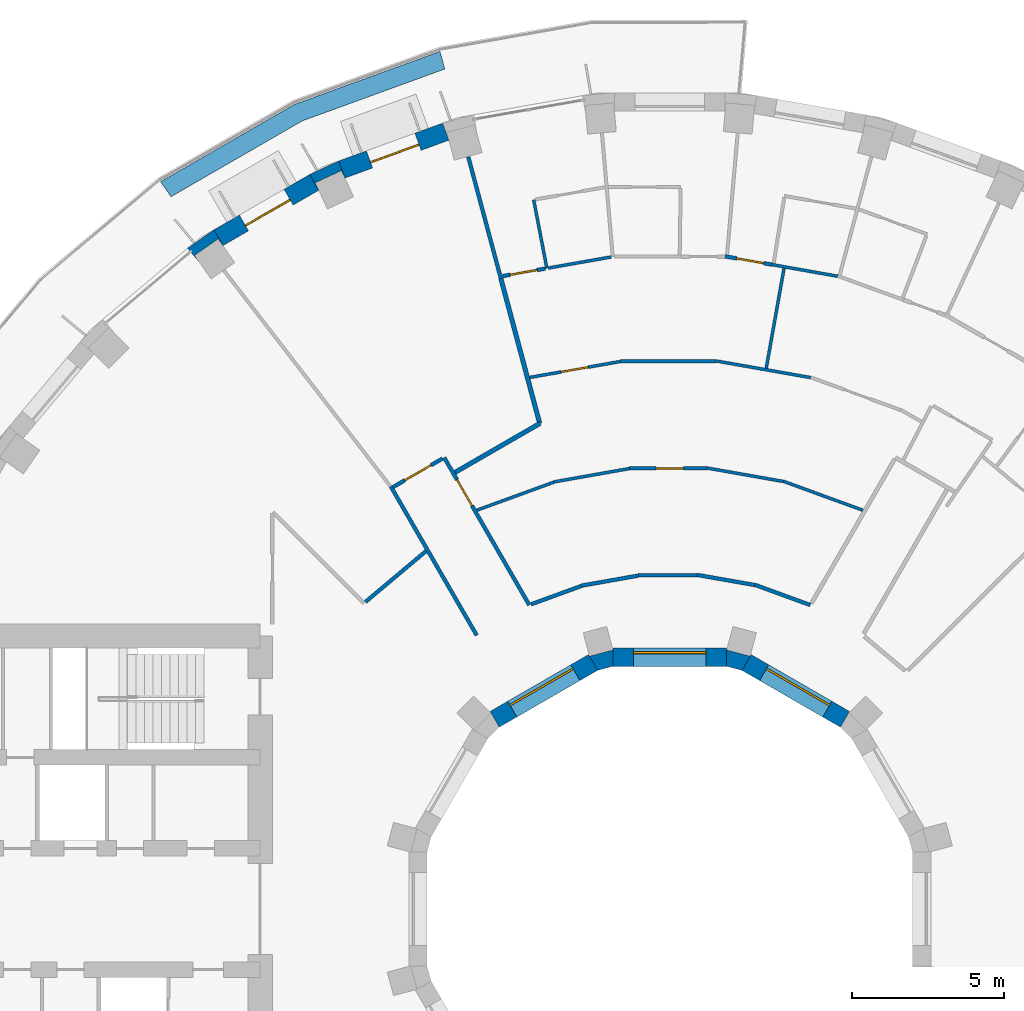
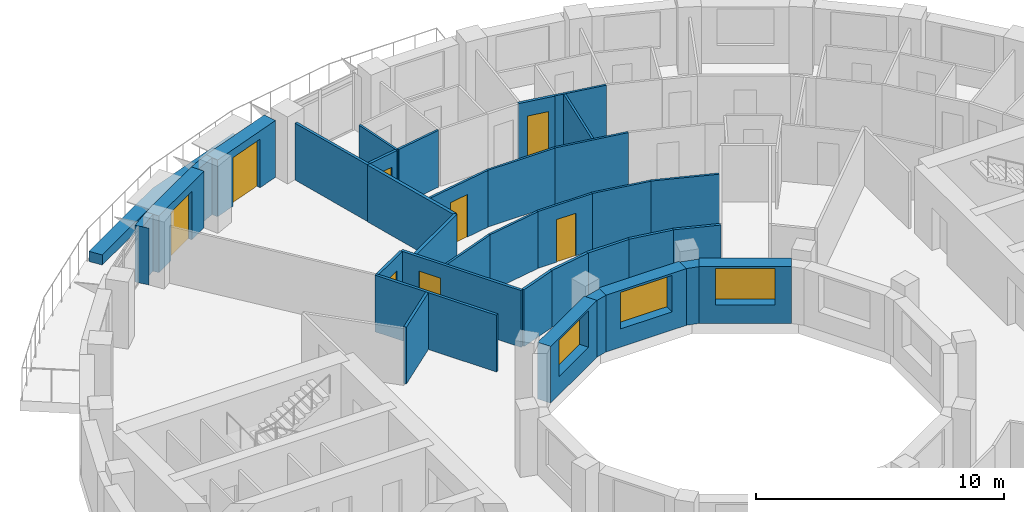
# One storey, part 10 of 14: 36 walls, 8 doors, 3 windows, 11 openings.
"""IFC4 building model written with IfcOpenShell, lengths in metres."""

from ifc_helpers import new_model, si_unit, direction, frame, frame_2d, origin, place, context, subcontext, project, spatial, polyline, rectangle, outline, extrude, material, layer, layer_set, type_object, element, fill, save


model = new_model("IFC4")

# Units and contexts
model_context = context("Model", 3, precision=1e-05, world=origin(), true_north=direction((0.0, 1.0)))
body_context = subcontext(model_context, "Body", "Model", "MODEL_VIEW")
ifc_project = project(units=[si_unit("LENGTHUNIT", "METRE"), si_unit("AREAUNIT", "SQUARE_METRE"), si_unit("VOLUMEUNIT", "CUBIC_METRE"), si_unit("PLANEANGLEUNIT", "RADIAN"), si_unit("MASSUNIT", "GRAM", prefix="KILO")], contexts=[model_context])

# Site, building, storey
site_placement = place(None, origin())
site = spatial("IfcSite", under=ifc_project, at=site_placement, CompositionType="ELEMENT")
building_placement = place(site_placement, origin())
building = spatial("IfcBuilding", under=site, at=building_placement, Name="Saqina Gate Tower", CompositionType="ELEMENT")
storey_placement = place(building_placement, frame((0.0, 0.0, 91.89990234375)))
storey = spatial("IfcBuildingStorey", under=building, at=storey_placement, Name="L25", CompositionType="ELEMENT", Elevation=91.89990234375)

# Walls
ifc_material_1 = material(Name="Brick masonry (buff)", Category="masonry")
wall_type_1 = type_object("IfcWallType", Name="BRICK PIER COPING BUFF", PredefinedType="SOLIDWALL", material=ifc_material_1)
wall_1_placement = place(storey_placement, origin())
element("IfcWall", 1, at=wall_1_placement, inside=storey, type_object=wall_type_1, Name="Pier cap L25 column 12", PredefinedType="SOLIDWALL", context=body_context, shape_type="SweptSolid", body=[
    extrude(outline(polyline([(-10.913330078125, 24.6513671875), (-11.869140625, 24.205810546875), (-11.569091796875, 23.68603515625), (-11.6826171875, 23.9296875), (-10.82177734375, 24.331298828125), (-10.7080078125, 24.08740234375), (-10.913330078125, 24.6513671875)])), origin(), (0.0, 0.0, 1.0), 2.800048828125),
])
wall_2_placement = place(storey_placement, origin())
element("IfcWall", 2, at=wall_2_placement, inside=storey, type_object=wall_type_1, Name="Pier cap L25 column 13", PredefinedType="SOLIDWALL", context=body_context, shape_type="SweptSolid", body=[
    extrude(outline(polyline([(-15.89208984375, 21.77685546875), (-15.50634765625, 21.317138671875), (-15.66064453125, 21.53759765625), (-14.88232421875, 22.08251953125), (-14.728271484375, 21.862060546875), (-15.0283203125, 22.3818359375), (-15.89208984375, 21.77685546875)])), origin(), (0.0, 0.0, 1.0), 2.800048828125),
])

# Wall, opening, door
ifc_material_2 = material(Name="Brick masonry (buff)", Category="masonry")
ifc_layer_1 = layer(ifc_material_2, 0.60009765625)
ifc_layer_set_1 = layer_set([ifc_layer_1], Name="FW-BRICK-BUFF")
wall_type_2 = type_object("IfcWallType", Name="FW-BRICK-BUFF", PredefinedType="SOLIDWALL", material=ifc_layer_set_1)
wall_3_placement = place(storey_placement, frame((-7.3828125, 25.616943359375, 0.0), z_axis=(0.0, 0.0, 1.0), x_axis=(-0.939703505393, -0.341990236633, 0.0)))
wall_3 = element("IfcWall", 3, at=wall_3_placement, inside=storey, type_object=wall_type_2, Name="Facade wall L25 facet 11", PredefinedType="SOLIDWALL", context=body_context, shape_type="SweptSolid", body=[
    extrude(rectangle(XDim=3.64794921875, YDim=0.60009765625, at=frame_2d((1.823974609375, 0.0))), origin(), (0.0, 0.0, 1.0), 2.800048828125),
])
opening_1_placement = place(wall_3_placement, frame((0.973876953125, 0.0, 0.0)))
opening_1 = element("IfcOpeningElement", 4, at=opening_1_placement, cuts=wall_3, Name="Opening G07-D80", PredefinedType="OPENING", context=body_context, shape_type="SweptSolid", body=[
    extrude(rectangle(XDim=1.699951171875, YDim=2.39990234375, at=frame_2d((0.85009765625, 1.199951171875))), frame((0.0, 0.31201171875, 0.0), z_axis=(0.0, -1.0, 0.0), x_axis=(1.0, 0.0, 0.0)), (0.0, 0.0, 1.0), 0.6240234375),
])
ifc_material_3 = material(Name="Aluminium glazing", Category="aluminium")
door_type_1 = type_object("IfcDoorType", Name="GD-B", OperationType="DOUBLE_DOOR_SINGLE_SWING", PredefinedType="DOOR", material=ifc_material_3)
door_1_placement = place(opening_1_placement, origin())
door_1 = element("IfcDoor", 5, at=door_1_placement, inside=storey, type_object=door_type_1, Name="Terrace door L25 facet 11", OperationType="DOUBLE_DOOR_SINGLE_SWING", OverallHeight=2.39990234375, OverallWidth=1.699951171875, PredefinedType="DOOR", context=body_context, shape_type="SweptSolid", body=[
    extrude(rectangle(XDim=1.699951171875, YDim=2.39990234375, at=frame_2d((0.85009765625, 1.199951171875))), frame((0.0, 0.125, 0.0), z_axis=(0.0, -1.0, 0.0), x_axis=(1.0, 0.0, 0.0)), (0.0, 0.0, 1.0), 0.050048828125),
])
fill(opening_1, door_1)

wall_4_placement = place(storey_placement, frame((-11.718994140625, 23.94580078125, 0.0), z_axis=(0.0, 0.0, 1.0), x_axis=(-0.866051847062, -0.499954196102, 0.0)))
wall_4 = element("IfcWall", 6, at=wall_4_placement, inside=storey, type_object=wall_type_2, Name="Facade wall L25 facet 12", PredefinedType="SOLIDWALL", context=body_context, shape_type="SweptSolid", body=[
    extrude(rectangle(XDim=3.647705078125, YDim=0.60009765625, at=frame_2d((1.82373046875, 0.0))), origin(), (0.0, 0.0, 1.0), 2.800048828125),
])
opening_2_placement = place(wall_4_placement, frame((0.973876953125, 0.0, 0.0)))
opening_2 = element("IfcOpeningElement", 7, at=opening_2_placement, cuts=wall_4, Name="Opening G07-D81", PredefinedType="OPENING", context=body_context, shape_type="SweptSolid", body=[
    extrude(rectangle(XDim=1.699951171875, YDim=2.39990234375, at=frame_2d((0.85009765625, 1.199951171875))), frame((0.0, 0.31201171875, 0.0), z_axis=(0.0, -1.0, 0.0), x_axis=(1.0, 0.0, 0.0)), (0.0, 0.0, 1.0), 0.6240234375),
])
door_2_placement = place(opening_2_placement, origin())
door_2 = element("IfcDoor", 8, at=door_2_placement, inside=storey, type_object=door_type_1, Name="Terrace door L25 facet 12", OperationType="DOUBLE_DOOR_SINGLE_SWING", OverallHeight=2.39990234375, OverallWidth=1.699951171875, PredefinedType="DOOR", context=body_context, shape_type="SweptSolid", body=[
    extrude(rectangle(XDim=1.699951171875, YDim=2.39990234375, at=frame_2d((0.85009765625, 1.199951171875))), frame((0.0, 0.125, 0.0), z_axis=(0.0, -1.0, 0.0), x_axis=(1.0, 0.0, 0.0)), (0.0, 0.0, 1.0), 0.050048828125),
])
fill(opening_2, door_2)

# Wall, opening, window
ifc_material_4 = material(Name="Glazed ceramic tile", Category="ceramic")
ifc_layer_2 = layer(ifc_material_4, 0.60009765625)
ifc_layer_set_2 = layer_set([ifc_layer_2], Name="IW-TILE")
wall_type_3 = type_object("IfcWallType", Name="IW-TILE", PredefinedType="SOLIDWALL", material=ifc_layer_set_2)
wall_5_placement = place(storey_placement, frame((5.772705078125, 6.251220703125, 0.0), z_axis=(0.0, 0.0, 1.0), x_axis=(-0.86604563398, 0.499964958637, 0.0)))
wall_5 = element("IfcWall", 9, at=wall_5_placement, inside=storey, type_object=wall_type_3, Name="Well wall L25 facet 2", PredefinedType="SOLIDWALL", context=body_context, shape_type="SweptSolid", body=[
    extrude(rectangle(XDim=3.747314453125, YDim=0.60009765625, at=frame_2d((1.87353515625, 0.0))), origin(), (0.0, 0.0, 1.0), 2.800048828125),
])
opening_3_placement = place(wall_5_placement, frame((0.673583984375, 0.0, 0.89990234375)))
opening_3 = element("IfcOpeningElement", 10, at=opening_3_placement, cuts=wall_5, Name="Opening G07-W24", PredefinedType="OPENING", context=body_context, shape_type="SweptSolid", body=[
    extrude(rectangle(XDim=2.39990234375, YDim=1.800048828125, at=frame_2d((1.199951171875, 0.89990234375))), frame((0.0, 0.31201171875, 0.0), z_axis=(0.0, -1.0, 0.0), x_axis=(1.0, 0.0, 0.0)), (0.0, 0.0, 1.0), 0.6240234375),
])
ifc_material_5 = material(Name="Aluminium glazing", Category="aluminium")
window_type = type_object("IfcWindowType", Name="WN-W", PartitioningType="SINGLE_PANEL", PredefinedType="WINDOW", material=ifc_material_5)
window_1_placement = place(opening_3_placement, origin())
window_1 = element("IfcWindow", 11, at=window_1_placement, inside=storey, type_object=window_type, Name="Well window L25 facet 2", OverallHeight=1.800048828125, OverallWidth=2.39990234375, PartitioningType="SINGLE_PANEL", PredefinedType="WINDOW", context=body_context, shape_type="SweptSolid", body=[
    extrude(rectangle(XDim=2.39990234375, YDim=1.800048828125, at=frame_2d((1.199951171875, 0.89990234375))), frame((0.0, -0.119873046875, 0.0), z_axis=(0.0, -1.0, 0.0), x_axis=(1.0, 0.0, 0.0)), (0.0, 0.0, 1.0), 0.06005859375),
])
fill(opening_3, window_1)

wall_6_placement = place(storey_placement, frame((1.873779296875, 8.300048828125, 0.0), z_axis=(0.0, 0.0, 1.0), x_axis=(-1.0, 0.0, 0.0)))
wall_6 = element("IfcWall", 12, at=wall_6_placement, inside=storey, type_object=wall_type_3, Name="Well wall L25 facet 3", PredefinedType="SOLIDWALL", context=body_context, shape_type="SweptSolid", body=[
    extrude(rectangle(XDim=3.74755859375, YDim=0.60009765625, at=frame_2d((1.873779296875, 0.0))), origin(), (0.0, 0.0, 1.0), 2.800048828125),
])
opening_4_placement = place(wall_6_placement, frame((0.673583984375, 0.0, 0.89990234375)))
opening_4 = element("IfcOpeningElement", 13, at=opening_4_placement, cuts=wall_6, Name="Opening G07-W25", PredefinedType="OPENING", context=body_context, shape_type="SweptSolid", body=[
    extrude(rectangle(XDim=2.39990234375, YDim=1.800048828125, at=frame_2d((1.199951171875, 0.89990234375))), frame((0.0, 0.31201171875, 0.0), z_axis=(0.0, -1.0, 0.0), x_axis=(1.0, 0.0, 0.0)), (0.0, 0.0, 1.0), 0.6240234375),
])
window_2_placement = place(opening_4_placement, origin())
window_2 = element("IfcWindow", 14, at=window_2_placement, inside=storey, type_object=window_type, Name="Well window L25 facet 3", OverallHeight=1.800048828125, OverallWidth=2.39990234375, PartitioningType="SINGLE_PANEL", PredefinedType="WINDOW", context=body_context, shape_type="SweptSolid", body=[
    extrude(rectangle(XDim=2.39990234375, YDim=1.800048828125, at=frame_2d((1.199951171875, 0.89990234375))), frame((0.0, -0.119873046875, 0.0), z_axis=(0.0, -1.0, 0.0), x_axis=(1.0, 0.0, 0.0)), (0.0, 0.0, 1.0), 0.06005859375),
])
fill(opening_4, window_2)

wall_7_placement = place(storey_placement, frame((-2.52734375, 8.124755859375, 0.0), z_axis=(0.0, 0.0, 1.0), x_axis=(-0.86604563398, -0.499964958637, 0.0)))
wall_7 = element("IfcWall", 15, at=wall_7_placement, inside=storey, type_object=wall_type_3, Name="Well wall L25 facet 4", PredefinedType="SOLIDWALL", context=body_context, shape_type="SweptSolid", body=[
    extrude(rectangle(XDim=3.747314453125, YDim=0.60009765625, at=frame_2d((1.87353515625, 0.0))), origin(), (0.0, 0.0, 1.0), 2.800048828125),
])
opening_5_placement = place(wall_7_placement, frame((0.673583984375, 0.0, 0.89990234375)))
opening_5 = element("IfcOpeningElement", 16, at=opening_5_placement, cuts=wall_7, Name="Opening G07-W26", PredefinedType="OPENING", context=body_context, shape_type="SweptSolid", body=[
    extrude(rectangle(XDim=2.39990234375, YDim=1.800048828125, at=frame_2d((1.199951171875, 0.89990234375))), frame((0.0, 0.31201171875, 0.0), z_axis=(0.0, -1.0, 0.0), x_axis=(1.0, 0.0, 0.0)), (0.0, 0.0, 1.0), 0.6240234375),
])
window_3_placement = place(opening_5_placement, origin())
window_3 = element("IfcWindow", 17, at=window_3_placement, inside=storey, type_object=window_type, Name="Well window L25 facet 4", OverallHeight=1.800048828125, OverallWidth=2.39990234375, PartitioningType="SINGLE_PANEL", PredefinedType="WINDOW", context=body_context, shape_type="SweptSolid", body=[
    extrude(rectangle(XDim=2.39990234375, YDim=1.800048828125, at=frame_2d((1.199951171875, 0.89990234375))), frame((0.0, -0.119873046875, 0.0), z_axis=(0.0, -1.0, 0.0), x_axis=(1.0, 0.0, 0.0)), (0.0, 0.0, 1.0), 0.06005859375),
])
fill(opening_5, window_3)

# Walls
ifc_material_6 = material(Name="Gypsum board on steel studs, 100 mm", Category="steel")
ifc_layer_3 = layer(ifc_material_6, 0.10009765625)
ifc_layer_set_3 = layer_set([ifc_layer_3], Name="PARTITION 100")
wall_type_4 = type_object("IfcWallType", Name="PARTITION 100", PredefinedType="PARTITIONING", material=ifc_layer_set_3)
wall_8_placement = place(storey_placement, frame((-4.486083984375, 23.373046875, 0.0), z_axis=(0.0, 0.0, 1.0), x_axis=(0.188701744684, -0.982034445197, 0.0)))
element("IfcWall", 18, at=wall_8_placement, inside=storey, type_object=wall_type_4, Name="PARTITION PW3-04", PredefinedType="PARTITIONING", context=body_context, shape_type="SweptSolid", body=[
    extrude(rectangle(XDim=2.30029296875, YDim=0.10009765625, at=frame_2d((1.150146484375, 0.0))), origin(), (0.0, 0.0, 1.0), 2.800048828125),
])
wall_9_placement = place(storey_placement, frame((3.726318359375, 14.101318359375, 0.0), z_axis=(0.0, 0.0, 1.0), x_axis=(0.939597715072, -0.342280782152, 0.0)))
element("IfcWall", 19, at=wall_9_placement, inside=storey, type_object=wall_type_4, Name="PARTITION PW3-39", PredefinedType="PARTITIONING", context=body_context, shape_type="SweptSolid", body=[
    extrude(rectangle(XDim=2.806640625, YDim=0.10009765625, at=frame_2d((1.4033203125, 0.0))), origin(), (0.0, 0.0, 1.0), 2.800048828125),
])
wall_10_placement = place(storey_placement, frame((3.364990234375, 21.236328125, 0.0), z_axis=(0.0, 0.0, 1.0), x_axis=(0.98465059855, -0.174537098562, 0.0)))
element("IfcWall", 20, at=wall_10_placement, inside=storey, type_object=wall_type_4, Name="PARTITION PW3-43", PredefinedType="PARTITIONING", context=body_context, shape_type="SweptSolid", body=[
    extrude(rectangle(XDim=2.20458984375, YDim=0.10009765625, at=frame_2d((1.102294921875, 0.0))), origin(), (0.0, 0.0, 1.0), 2.800048828125),
])
wall_11_placement = place(storey_placement, frame((1.220947265625, 14.53369140625, 0.0), z_axis=(0.0, 0.0, 1.0), x_axis=(0.98484729526, -0.173423772937, 0.0)))
element("IfcWall", 21, at=wall_11_placement, inside=storey, type_object=wall_type_4, Name="PARTITION PW3-47", PredefinedType="PARTITIONING", context=body_context, shape_type="SweptSolid", body=[
    extrude(rectangle(XDim=2.54248046875, YDim=0.10009765625, at=frame_2d((1.271240234375, 0.0))), origin(), (0.0, 0.0, 1.0), 2.800048828125),
])
wall_12_placement = place(storey_placement, frame((1.529052734375, 18.060791015625, 0.0), z_axis=(0.0, 0.0, 1.0), x_axis=(0.984824759837, -0.173551699537, 0.0)))
element("IfcWall", 22, at=wall_12_placement, inside=storey, type_object=wall_type_4, Name="PARTITION PW3-48", PredefinedType="PARTITIONING", context=body_context, shape_type="SweptSolid", body=[
    extrude(rectangle(XDim=3.159423828125, YDim=0.10009765625, at=frame_2d((1.57958984375, 0.0))), origin(), (0.0, 0.0, 1.0), 2.800048828125),
])

# Wall, opening, door
wall_13_placement = place(storey_placement, frame((-1.32177734375, 14.52490234375, 0.0), z_axis=(0.0, 0.0, 1.0), x_axis=(1.0, 0.0, 0.0)))
wall_13 = element("IfcWall", 23, at=wall_13_placement, inside=storey, type_object=wall_type_4, Name="PARTITION PW3-54", PredefinedType="PARTITIONING", context=body_context, shape_type="SweptSolid", body=[
    extrude(rectangle(XDim=2.542724609375, YDim=0.10009765625, at=frame_2d((1.271484375, 0.0))), origin(), (0.0, 0.0, 1.0), 2.800048828125),
])
opening_6_placement = place(wall_13_placement, frame((0.871826171875, 0.0, 0.0)))
opening_6 = element("IfcOpeningElement", 24, at=opening_6_placement, cuts=wall_13, Name="Opening G07-D16", PredefinedType="OPENING", context=body_context, shape_type="SweptSolid", body=[
    extrude(rectangle(XDim=0.89990234375, YDim=2.10009765625, at=frame_2d((0.449951171875, 1.050048828125))), frame((0.0, 0.06201171875, 0.0), z_axis=(0.0, -1.0, 0.0), x_axis=(1.0, 0.0, 0.0)), (0.0, 0.0, 1.0), 0.1240234375),
])
ifc_material_7 = material(Name="Timber door leaf, 900 mm", Category="wood")
door_type_2 = type_object("IfcDoorType", Name="DOOR 900 TIMBER", OperationType="SINGLE_SWING_LEFT", PredefinedType="DOOR", material=ifc_material_7)
door_3_placement = place(opening_6_placement, origin())
door_3 = element("IfcDoor", 25, at=door_3_placement, inside=storey, type_object=door_type_2, Name="DOOR G07-D16", OperationType="SINGLE_SWING_RIGHT", OverallHeight=2.10009765625, OverallWidth=0.89990234375, PredefinedType="DOOR", context=body_context, shape_type="SweptSolid", body=[
    extrude(rectangle(XDim=0.89990234375, YDim=2.10009765625, at=frame_2d((0.449951171875, 1.050048828125))), frame((0.0, 0.02490234375, 0.0), z_axis=(0.0, -1.0, 0.0), x_axis=(1.0, 0.0, 0.0)), (0.0, 0.0, 1.0), 0.050048828125),
])
fill(opening_6, door_3)

# Walls
wall_14_placement = place(storey_placement, frame((-1.6298828125, 18.052001953125, 0.0), z_axis=(0.0, 0.0, 1.0), x_axis=(1.0, 0.0, 0.0)))
element("IfcWall", 26, at=wall_14_placement, inside=storey, type_object=wall_type_4, Name="PARTITION PW3-55", PredefinedType="PARTITIONING", context=body_context, shape_type="SweptSolid", body=[
    extrude(rectangle(XDim=3.158935546875, YDim=0.10009765625, at=frame_2d((1.57958984375, 0.0))), origin(), (0.0, 0.0, 1.0), 2.800048828125),
])
wall_15_placement = place(storey_placement, frame((-3.823974609375, 14.0751953125, 0.0), z_axis=(0.0, 0.0, 1.0), x_axis=(0.984827998664, 0.173533319706, 0.0)))
element("IfcWall", 27, at=wall_15_placement, inside=storey, type_object=wall_type_4, Name="PARTITION PW3-61", PredefinedType="PARTITIONING", context=body_context, shape_type="SweptSolid", body=[
    extrude(rectangle(XDim=2.542236328125, YDim=0.10009765625, at=frame_2d((1.27099609375, 0.0))), origin(), (0.0, 0.0, 1.0), 2.800048828125),
])

# Wall, opening, door
wall_16_placement = place(storey_placement, frame((-4.6162109375, 17.51708984375, 0.0), z_axis=(0.0, 0.0, 1.0), x_axis=(0.984849913621, 0.173408903003, 0.0)))
wall_16 = element("IfcWall", 28, at=wall_16_placement, inside=storey, type_object=wall_type_4, Name="PARTITION PW3-62", PredefinedType="PARTITIONING", context=body_context, shape_type="SweptSolid", body=[
    extrude(rectangle(XDim=3.033935546875, YDim=0.10009765625, at=frame_2d((1.51708984375, 0.0))), origin(), (0.0, 0.0, 1.0), 2.800048828125),
])
opening_7_placement = place(wall_16_placement, frame((1.054443359375, 0.0, 0.0)))
opening_7 = element("IfcOpeningElement", 29, at=opening_7_placement, cuts=wall_16, Name="Opening G07-D19", PredefinedType="OPENING", context=body_context, shape_type="SweptSolid", body=[
    extrude(rectangle(XDim=0.89990234375, YDim=2.10009765625, at=frame_2d((0.449951171875, 1.050048828125))), frame((0.0, 0.06201171875, 0.0), z_axis=(0.0, -1.0, 0.0), x_axis=(1.0, 0.0, 0.0)), (0.0, 0.0, 1.0), 0.1240234375),
])
door_4_placement = place(opening_7_placement, frame((0.89990234375, 0.0, 0.0), z_axis=(0.0, 0.0, 1.0), x_axis=(-1.0, 0.0, 0.0)))
door_4 = element("IfcDoor", 30, at=door_4_placement, inside=storey, type_object=door_type_2, Name="DOOR G07-D19", OperationType="SINGLE_SWING_RIGHT", OverallHeight=2.10009765625, OverallWidth=0.89990234375, PredefinedType="DOOR", context=body_context, shape_type="SweptSolid", body=[
    extrude(rectangle(XDim=0.89990234375, YDim=2.10009765625, at=frame_2d((0.449951171875, 1.050048828125))), frame((0.0, 0.02490234375, 0.0), z_axis=(0.0, -1.0, 0.0), x_axis=(1.0, 0.0, 0.0)), (0.0, 0.0, 1.0), 0.050048828125),
])
fill(opening_7, door_4)

# Walls
wall_17_placement = place(storey_placement, frame((-4.002685546875, 21.122802734375, 0.0), z_axis=(0.0, 0.0, 1.0), x_axis=(0.984804573467, 0.173666208797, 0.0)))
element("IfcWall", 31, at=wall_17_placement, inside=storey, type_object=wall_type_4, Name="PARTITION PW3-63", PredefinedType="PARTITIONING", context=body_context, shape_type="SweptSolid", body=[
    extrude(rectangle(XDim=2.1044921875, YDim=0.10009765625, at=frame_2d((1.05224609375, 0.0))), origin(), (0.0, 0.0, 1.0), 2.800048828125),
])
wall_18_placement = place(storey_placement, frame((-6.361083984375, 13.141357421875, 0.0), z_axis=(0.0, 0.0, 1.0), x_axis=(0.939569098227, 0.342359328275, 0.0)))
element("IfcWall", 32, at=wall_18_placement, inside=storey, type_object=wall_type_4, Name="PARTITION PW3-68", PredefinedType="PARTITIONING", context=body_context, shape_type="SweptSolid", body=[
    extrude(rectangle(XDim=2.703369140625, YDim=0.10009765625, at=frame_2d((1.3515625, 0.0))), origin(), (0.0, 0.0, 1.0), 2.800048828125),
])
wall_19_placement = place(storey_placement, frame((3.177734375, 17.8212890625, 0.0), z_axis=(0.0, 0.0, 1.0), x_axis=(0.175313184309, 0.984512715716, 0.0)))
element("IfcWall", 33, at=wall_19_placement, inside=storey, type_object=wall_type_4, Name="PARTITION PW3-99", PredefinedType="PARTITIONING", context=body_context, shape_type="SweptSolid", body=[
    extrude(rectangle(XDim=3.344970703125, YDim=0.10009765625, at=frame_2d((1.67236328125, 0.0))), origin(), (0.0, 0.0, 1.0), 2.800048828125),
])
ifc_material_8 = material(Name="Gypsum board on steel studs, 125 mm, fire rated", Category="steel")
ifc_layer_4 = layer(ifc_material_8, 0.125)
ifc_layer_set_4 = layer_set([ifc_layer_4], Name="PARTITION EI 30 125")
wall_type_5 = type_object("IfcWallType", Name="PARTITION EI 30 125", PredefinedType="PARTITIONING", material=ifc_layer_set_4)
wall_20_placement = place(storey_placement, frame((-6.642333984375, 24.79052734375, 0.0), z_axis=(0.0, 0.0, 1.0), x_axis=(0.258787077678, -0.965934391368, 0.0)))
element("IfcWall", 34, at=wall_20_placement, inside=storey, type_object=wall_type_5, Name="PARTITION PW1-01", PredefinedType="PARTITIONING", context=body_context, shape_type="SweptSolid", body=[
    extrude(rectangle(XDim=4.148193359375, YDim=0.125, at=frame_2d((2.07421875, 0.0))), origin(), (0.0, 0.0, 1.0), 2.800048828125),
])
wall_21_placement = place(storey_placement, frame((-9.197265625, 13.930419921875, 0.0), z_axis=(0.0, 0.0, 1.0), x_axis=(0.499811918813, -0.86613396528, 0.0)))
element("IfcWall", 35, at=wall_21_placement, inside=storey, type_object=wall_type_5, Name="PARTITION PW1-03", PredefinedType="PARTITIONING", context=body_context, shape_type="SweptSolid", body=[
    extrude(rectangle(XDim=5.669677734375, YDim=0.125, at=frame_2d((2.8349609375, 0.0))), origin(), (0.0, 0.0, 1.0), 2.800048828125),
])

# Wall, opening, door
wall_22_placement = place(storey_placement, frame((-7.43408203125, 14.8759765625, 0.0), z_axis=(0.0, 0.0, 1.0), x_axis=(0.499750096908, -0.866169637335, 0.0)))
wall_22 = element("IfcWall", 36, at=wall_22_placement, inside=storey, type_object=wall_type_5, Name="PARTITION PW1-04", PredefinedType="PARTITIONING", context=body_context, shape_type="SweptSolid", body=[
    extrude(rectangle(XDim=5.606689453125, YDim=0.125, at=frame_2d((2.80322265625, 0.0))), origin(), (0.0, 0.0, 1.0), 2.800048828125),
])
opening_8_placement = place(wall_22_placement, frame((0.83740234375, 0.0, 0.0)))
opening_8 = element("IfcOpeningElement", 37, at=opening_8_placement, cuts=wall_22, Name="Opening G07-D21", PredefinedType="OPENING", context=body_context, shape_type="SweptSolid", body=[
    extrude(rectangle(XDim=1.0, YDim=2.10009765625, at=frame_2d((0.5, 1.050048828125))), frame((0.0, 0.074462890625, 0.0), z_axis=(0.0, -1.0, 0.0), x_axis=(1.0, 0.0, 0.0)), (0.0, 0.0, 1.0), 0.14892578125),
])
ifc_material_9 = material(Name="Fire door leaf EI 30, 1000 mm")
door_type_3 = type_object("IfcDoorType", Name="DOOR 1000 EI 30", OperationType="SINGLE_SWING_LEFT", PredefinedType="DOOR", material=ifc_material_9)
door_5_placement = place(opening_8_placement, origin())
door_5 = element("IfcDoor", 38, at=door_5_placement, inside=storey, type_object=door_type_3, Name="DOOR G07-D21", OperationType="SINGLE_SWING_LEFT", OverallHeight=2.10009765625, OverallWidth=1.0, PredefinedType="DOOR", context=body_context, shape_type="SweptSolid", body=[
    extrude(rectangle(XDim=1.0, YDim=2.10009765625, at=frame_2d((0.5, 1.050048828125))), frame((0.0, 0.02490234375, 0.0), z_axis=(0.0, -1.0, 0.0), x_axis=(1.0, 0.0, 0.0)), (0.0, 0.0, 1.0), 0.050048828125),
])
fill(opening_8, door_5)

# Walls
wall_23_placement = place(storey_placement, frame((2.7978515625, 10.68505859375, 0.0), z_axis=(0.0, 0.0, 1.0), x_axis=(0.939595877431, -0.342285826635, 0.0)))
element("IfcWall", 39, at=wall_23_placement, inside=storey, type_object=wall_type_5, Name="PARTITION PW1-21", PredefinedType="PARTITIONING", context=body_context, shape_type="SweptSolid", body=[
    extrude(rectangle(XDim=1.949951171875, YDim=0.125, at=frame_2d((0.97509765625, 0.0))), origin(), (0.0, 0.0, 1.0), 2.800048828125),
])
wall_24_placement = place(storey_placement, frame((0.8994140625, 11.010986328125, 0.0), z_axis=(0.0, 0.0, 1.0), x_axis=(0.984830733923, -0.173517795977, 0.0)))
element("IfcWall", 40, at=wall_24_placement, inside=storey, type_object=wall_type_5, Name="PARTITION PW1-25", PredefinedType="PARTITIONING", context=body_context, shape_type="SweptSolid", body=[
    extrude(rectangle(XDim=1.92626953125, YDim=0.125, at=frame_2d((0.963134765625, 0.0))), origin(), (0.0, 0.0, 1.0), 2.800048828125),
])

# Wall, opening, door
wall_25_placement = place(storey_placement, frame((1.818603515625, 21.508056640625, 0.0), z_axis=(0.0, 0.0, 1.0), x_axis=(0.984825798369, -0.17354580625, 0.0)))
wall_25 = element("IfcWall", 41, at=wall_25_placement, inside=storey, type_object=wall_type_5, Name="PARTITION PW1-26", PredefinedType="PARTITIONING", context=body_context, shape_type="SweptSolid", body=[
    extrude(rectangle(XDim=1.570068359375, YDim=0.125, at=frame_2d((0.78515625, 0.0))), origin(), (0.0, 0.0, 1.0), 2.800048828125),
])
opening_9_placement = place(wall_25_placement, frame((0.391845703125, 0.0, 0.0)))
opening_9 = element("IfcOpeningElement", 42, at=opening_9_placement, cuts=wall_25, Name="Opening G07-D14", PredefinedType="OPENING", context=body_context, shape_type="SweptSolid", body=[
    extrude(rectangle(XDim=0.89990234375, YDim=2.10009765625, at=frame_2d((0.449951171875, 1.050048828125))), frame((0.0, 0.074462890625, 0.0), z_axis=(0.0, -1.0, 0.0), x_axis=(1.0, 0.0, 0.0)), (0.0, 0.0, 1.0), 0.14892578125),
])
ifc_material_10 = material(Name="Fire door leaf EI 30, 900 mm")
door_type_4 = type_object("IfcDoorType", Name="DOOR 900 EI 30", OperationType="SINGLE_SWING_LEFT", PredefinedType="DOOR", material=ifc_material_10)
door_6_placement = place(opening_9_placement, frame((0.89990234375, 0.0, 0.0), z_axis=(0.0, 0.0, 1.0), x_axis=(-1.0, 0.0, 0.0)))
door_6 = element("IfcDoor", 43, at=door_6_placement, inside=storey, type_object=door_type_4, Name="DOOR G07-D14", OperationType="SINGLE_SWING_RIGHT", OverallHeight=2.10009765625, OverallWidth=0.89990234375, PredefinedType="DOOR", context=body_context, shape_type="SweptSolid", body=[
    extrude(rectangle(XDim=0.89990234375, YDim=2.10009765625, at=frame_2d((0.449951171875, 1.050048828125))), frame((0.0, 0.02490234375, 0.0), z_axis=(0.0, -1.0, 0.0), x_axis=(1.0, 0.0, 0.0)), (0.0, 0.0, 1.0), 0.050048828125),
])
fill(opening_9, door_6)

# Walls
wall_26_placement = place(storey_placement, frame((-1.025390625, 11.0, 0.0), z_axis=(0.0, 0.0, 1.0), x_axis=(1.0, 0.0, 0.0)))
element("IfcWall", 44, at=wall_26_placement, inside=storey, type_object=wall_type_5, Name="PARTITION PW1-29", PredefinedType="PARTITIONING", context=body_context, shape_type="SweptSolid", body=[
    extrude(rectangle(XDim=1.9248046875, YDim=0.125, at=frame_2d((0.96240234375, 0.0))), origin(), (0.0, 0.0, 1.0), 2.800048828125),
])
wall_27_placement = place(storey_placement, frame((-2.920166015625, 10.655029296875, 0.0), z_axis=(0.0, 0.0, 1.0), x_axis=(0.98482691703, 0.173539458027, 0.0)))
element("IfcWall", 45, at=wall_27_placement, inside=storey, type_object=wall_type_5, Name="PARTITION PW1-33", PredefinedType="PARTITIONING", context=body_context, shape_type="SweptSolid", body=[
    extrude(rectangle(XDim=1.926025390625, YDim=0.125, at=frame_2d((0.962890625, 0.0))), origin(), (0.0, 0.0, 1.0), 2.800048828125),
])

# Wall, opening, door
wall_28_placement = place(storey_placement, frame((-5.51123046875, 20.85693359375, 0.0), z_axis=(0.0, 0.0, 1.0), x_axis=(0.984845301527, 0.173435094659, 0.0)))
wall_28 = element("IfcWall", 46, at=wall_28_placement, inside=storey, type_object=wall_type_5, Name="PARTITION PW1-34", PredefinedType="PARTITIONING", context=body_context, shape_type="SweptSolid", body=[
    extrude(rectangle(XDim=1.431640625, YDim=0.125, at=frame_2d((0.7158203125, 0.0))), origin(), (0.0, 0.0, 1.0), 2.800048828125),
])
opening_10_placement = place(wall_28_placement, frame((0.25390625, 0.0, 0.0)))
opening_10 = element("IfcOpeningElement", 47, at=opening_10_placement, cuts=wall_28, Name="Opening G07-D20", PredefinedType="OPENING", context=body_context, shape_type="SweptSolid", body=[
    extrude(rectangle(XDim=0.89990234375, YDim=2.10009765625, at=frame_2d((0.449951171875, 1.050048828125))), frame((0.0, 0.074462890625, 0.0), z_axis=(0.0, -1.0, 0.0), x_axis=(1.0, 0.0, 0.0)), (0.0, 0.0, 1.0), 0.14892578125),
])
door_7_placement = place(opening_10_placement, frame((0.89990234375, 0.0, 0.0), z_axis=(0.0, 0.0, 1.0), x_axis=(-1.0, 0.0, 0.0)))
door_7 = element("IfcDoor", 48, at=door_7_placement, inside=storey, type_object=door_type_4, Name="DOOR G07-D20", OperationType="SINGLE_SWING_RIGHT", OverallHeight=2.10009765625, OverallWidth=0.89990234375, PredefinedType="DOOR", context=body_context, shape_type="SweptSolid", body=[
    extrude(rectangle(XDim=0.89990234375, YDim=2.10009765625, at=frame_2d((0.449951171875, 1.050048828125))), frame((0.0, 0.02490234375, 0.0), z_axis=(0.0, -1.0, 0.0), x_axis=(1.0, 0.0, 0.0)), (0.0, 0.0, 1.0), 0.050048828125),
])
fill(opening_10, door_7)

# Wall
wall_29_placement = place(storey_placement, frame((-4.572265625, 10.04150390625, 0.0), z_axis=(0.0, 0.0, 1.0), x_axis=(0.939578855371, 0.342332549635, 0.0)))
element("IfcWall", 49, at=wall_29_placement, inside=storey, type_object=wall_type_5, Name="PARTITION PW1-37", PredefinedType="PARTITIONING", context=body_context, shape_type="SweptSolid", body=[
    extrude(rectangle(XDim=1.76220703125, YDim=0.125, at=frame_2d((0.881103515625, 0.0))), origin(), (0.0, 0.0, 1.0), 2.800048828125),
])

# Wall, opening, door
wall_30_placement = place(storey_placement, frame((-9.1220703125, 13.904052734375, 0.0), z_axis=(0.0, 0.0, 1.0), x_axis=(0.866620759959, 0.498967392128, 0.0)))
wall_30 = element("IfcWall", 50, at=wall_30_placement, inside=storey, type_object=wall_type_5, Name="PARTITION PW1-38", PredefinedType="PARTITIONING", context=body_context, shape_type="SweptSolid", body=[
    extrude(rectangle(XDim=1.88525390625, YDim=0.125, at=frame_2d((0.942626953125, 0.0))), origin(), (0.0, 0.0, 1.0), 2.800048828125),
])
opening_11_placement = place(wall_30_placement, frame((0.44775390625, 0.0, 0.0)))
opening_11 = element("IfcOpeningElement", 51, at=opening_11_placement, cuts=wall_30, Name="Opening G07-D22", PredefinedType="OPENING", context=body_context, shape_type="SweptSolid", body=[
    extrude(rectangle(XDim=1.0, YDim=2.10009765625, at=frame_2d((0.5, 1.050048828125))), frame((0.0, 0.074462890625, 0.0), z_axis=(0.0, -1.0, 0.0), x_axis=(1.0, 0.0, 0.0)), (0.0, 0.0, 1.0), 0.14892578125),
])
door_8_placement = place(opening_11_placement, frame((1.0, 0.0, 0.0), z_axis=(0.0, 0.0, 1.0), x_axis=(-1.0, 0.0, 0.0)))
door_8 = element("IfcDoor", 52, at=door_8_placement, inside=storey, type_object=door_type_3, Name="DOOR G07-D22", OperationType="SINGLE_SWING_LEFT", OverallHeight=2.10009765625, OverallWidth=1.0, PredefinedType="DOOR", context=body_context, shape_type="SweptSolid", body=[
    extrude(rectangle(XDim=1.0, YDim=2.10009765625, at=frame_2d((0.5, 1.050048828125))), frame((0.0, 0.02490234375, 0.0), z_axis=(0.0, -1.0, 0.0), x_axis=(1.0, 0.0, 0.0)), (0.0, 0.0, 1.0), 0.050048828125),
])
fill(opening_11, door_8)

# Walls
wall_31_placement = place(storey_placement, frame((-10.03125, 10.119384765625, 0.0), z_axis=(0.0, 0.0, 1.0), x_axis=(0.766096242005, 0.642725873126, 0.0)))
element("IfcWall", 53, at=wall_31_placement, inside=storey, type_object=wall_type_5, Name="PARTITION PW1-42", PredefinedType="PARTITIONING", context=body_context, shape_type="SweptSolid", body=[
    extrude(rectangle(XDim=2.604248046875, YDim=0.125, at=frame_2d((1.30224609375, 0.0))), origin(), (0.0, 0.0, 1.0), 2.800048828125),
])
ifc_material_11 = material(Name="Gypsum board on steel studs, 150 mm, fire rated", Category="steel")
ifc_layer_5 = layer(ifc_material_11, 0.14990234375)
ifc_layer_set_5 = layer_set([ifc_layer_5], Name="PARTITION EI 60 150")
wall_type_6 = type_object("IfcWallType", Name="PARTITION EI 60 150", PredefinedType="PARTITIONING", material=ifc_layer_set_5)
wall_32_placement = place(storey_placement, frame((-5.56884765625, 20.78369140625, 0.0), z_axis=(0.0, 0.0, 1.0), x_axis=(0.258810886784, -0.965928012267, 0.0)))
element("IfcWall", 54, at=wall_32_placement, inside=storey, type_object=wall_type_6, Name="PARTITION PW2-01", PredefinedType="PARTITIONING", context=body_context, shape_type="SweptSolid", body=[
    extrude(rectangle(XDim=4.94873046875, YDim=0.14990234375, at=frame_2d((2.474365234375, 0.0))), origin(), (0.0, 0.0, 1.0), 2.800048828125),
])
wall_33_placement = place(storey_placement, frame((-7.079833984375, 14.38720703125, 0.0), z_axis=(0.0, 0.0, 1.0), x_axis=(0.865957178428, 0.500118151169, 0.0)))
element("IfcWall", 55, at=wall_33_placement, inside=storey, type_object=wall_type_6, Name="PARTITION PW2-02", PredefinedType="PARTITIONING", context=body_context, shape_type="SweptSolid", body=[
    extrude(rectangle(XDim=3.239990234375, YDim=0.14990234375, at=frame_2d((1.6201171875, 0.0))), origin(), (0.0, 0.0, 1.0), 2.800048828125),
])
ifc_material_12 = material(Name="Brick masonry (red)", Category="masonry")
ifc_layer_6 = layer(ifc_material_12, 0.60009765625)
ifc_layer_set_6 = layer_set([ifc_layer_6], Name="PL-PLANTER")
wall_type_7 = type_object("IfcWallType", Name="PL-PLANTER", PredefinedType="PARAPET", material=ifc_layer_set_6)
wall_34_placement = place(storey_placement, origin())
element("IfcWall", 56, at=wall_34_placement, inside=storey, type_object=wall_type_7, Name="Planter L25", PredefinedType="PARAPET", context=body_context, shape_type="SweptSolid", body=[
    extrude(outline(polyline([(-7.57275390625, 28.26171875), (-12.365234375, 26.517333984375), (-16.781982421875, 23.96728515625), (-16.4365234375, 23.473876953125), (-12.110595703125, 25.971435546875), (-7.416748046875, 27.679931640625), (-7.57275390625, 28.26171875)])), origin(), (0.0, 0.0, 1.0), 0.5),
])
ifc_material_13 = material(Name="Glazed ceramic tile", Category="ceramic")
wall_type_8 = type_object("IfcWallType", Name="TILE PIER COPING", PredefinedType="SOLIDWALL", material=ifc_material_13)
wall_35_placement = place(storey_placement, origin())
element("IfcWall", 57, at=wall_35_placement, inside=storey, type_object=wall_type_8, Name="Well pier cap L25 column 3", PredefinedType="SOLIDWALL", context=body_context, shape_type="SweptSolid", body=[
    extrude(outline(polyline([(1.873779296875, 8.5380859375), (1.873779296875, 8.0), (2.377197265625, 7.864990234375), (2.646484375, 8.3310546875), (1.873779296875, 8.5380859375)])), origin(), (0.0, 0.0, 1.0), 2.800048828125),
])
wall_36_placement = place(storey_placement, origin())
element("IfcWall", 58, at=wall_36_placement, inside=storey, type_object=wall_type_8, Name="Well pier cap L25 column 4", PredefinedType="SOLIDWALL", context=body_context, shape_type="SweptSolid", body=[
    extrude(outline(polyline([(-2.646484375, 8.3310546875), (-2.377197265625, 7.864990234375), (-1.873779296875, 8.0), (-1.873779296875, 8.5380859375), (-2.646484375, 8.3310546875)])), origin(), (0.0, 0.0, 1.0), 2.800048828125),
])

save(model, "model.ifc")
